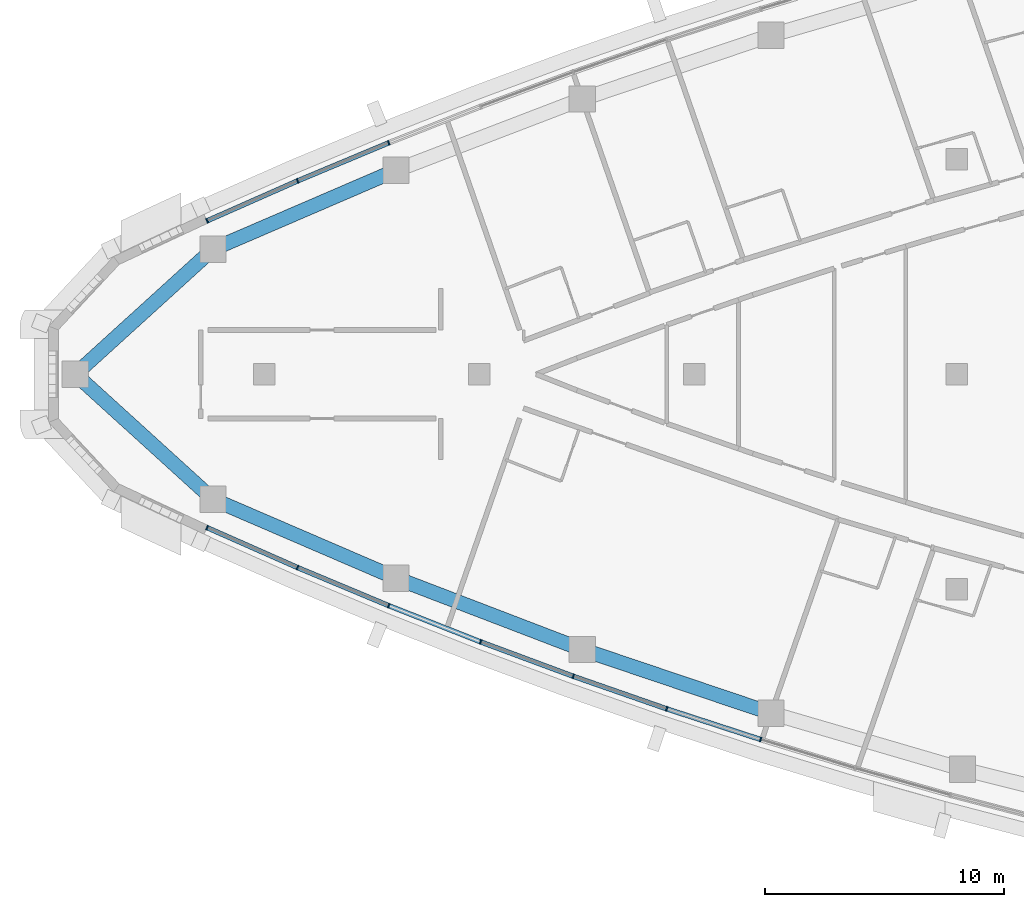
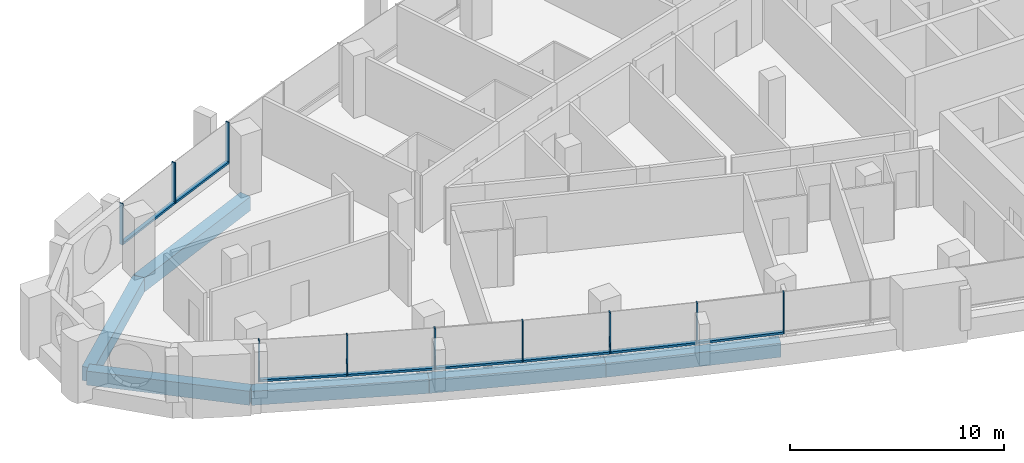
# One storey, part 2 of 14: 18 members, 6 beams, 5 elements without a shape of their own.
"""IFC4 building model written with IfcOpenShell, lengths in metres."""

from ifc_helpers import new_model, si_unit, direction, frame, origin, origin_2d, place, context, subcontext, project, spatial, rectangle, extrude, material, layer, layer_set, material_profile, profile_set, type_object, element, aggregate, save


model = new_model("IFC4")

# Units and contexts
model_context = context("Model", 3, precision=1e-05, world=origin(), true_north=direction((0.0, 1.0)))
body_context = subcontext(model_context, "Body", "Model", "MODEL_VIEW")
ifc_project = project(units=[si_unit("LENGTHUNIT", "METRE"), si_unit("AREAUNIT", "SQUARE_METRE"), si_unit("VOLUMEUNIT", "CUBIC_METRE"), si_unit("PLANEANGLEUNIT", "RADIAN"), si_unit("MASSUNIT", "GRAM", prefix="KILO")], contexts=[model_context])

# Site, building, storey
site_placement = place(None, origin())
site = spatial("IfcSite", under=ifc_project, at=site_placement, CompositionType="ELEMENT")
building_placement = place(site_placement, origin())
building = spatial("IfcBuilding", under=site, at=building_placement, Name="Ostrand Prow Hotel Tower", CompositionType="ELEMENT")
storey_placement = place(building_placement, frame((0.0, 0.0, 296.300048828125)))
storey = spatial("IfcBuildingStorey", under=building, at=storey_placement, Name="L75", CompositionType="ELEMENT", Elevation=296.300048828125)

# Beams
ifc_material_1 = material(Name="Concrete C50/60", Category="concrete")
ifc_material_profile_1 = material_profile(ifc_material_1, rectangle(XDim=0.60009765625, YDim=0.800048828125, at=origin_2d()), Name="RC 600x800")
ifc_profile_set_1 = profile_set([ifc_material_profile_1], Name="Concrete C50/60")
beam_type = type_object("IfcBeamType", Name="Edge beam 600x800 C50/60", PredefinedType="SPANDREL", material=ifc_profile_set_1)
beam_1_placement = place(storey_placement, frame((8.082763671875, 0.0, -0.699951171875), z_axis=(0.740124460758, -0.672469912032, 0.0), x_axis=(0.672469912032, 0.740124460758, 0.0)))
element("IfcBeam", 1, at=beam_1_placement, inside=storey, type_object=beam_type, Name="Edge beam P-S1", PredefinedType="SPANDREL", context=body_context, shape_type="SweptSolid", body=[
    extrude(rectangle(XDim=0.60009765625, YDim=0.800048828125, at=origin_2d()), origin(), (0.0, 0.0, 1.0), 7.787353515625),
])
for number, where, z_axis, x_axis, name in (
    (2, (13.846435546875, -5.23681640625, -0.699951171875), (0.918403788687, -0.39564438695, 0.0), (0.39564438695, 0.918403788687, 0.0), "Edge beam S1-S2"),
    (3, (21.51416015625, -8.5400390625, -0.699951171875), (0.933761753797, -0.357895218111, 0.0), (0.357895218111, 0.933761753797, 0.0), "Edge beam S2-S3"),
    (4, (29.31005859375, -11.528076171875, -0.699951171875), (0.947575089419, -0.319533174981, 0.0), (0.319533174981, 0.947575089419, 0.0), "Edge beam S3-S4"),
    (5, (21.51416015625, 8.5400390625, -0.699951171875), (-0.918403788687, -0.39564438695, 0.0), (0.39564438695, -0.918403788687, 0.0), "Edge beam N5-N6"),
):
    element("IfcBeam", number, at=place(storey_placement, frame(where, z_axis=z_axis, x_axis=x_axis)), inside=storey, type_object=beam_type, Name=name, PredefinedType="SPANDREL", context=body_context, shape_type="SweptSolid", body=[
        extrude(rectangle(XDim=0.60009765625, YDim=0.800048828125, at=origin_2d()), origin(), (0.0, 0.0, 1.0), 8.348876953125),
    ])
beam_2_placement = place(storey_placement, frame((13.846435546875, 5.23681640625, -0.699951171875), z_axis=(-0.740124460758, -0.672469912032, 0.0), x_axis=(0.672469912032, -0.740124460758, 0.0)))
element("IfcBeam", 6, at=beam_2_placement, inside=storey, type_object=beam_type, Name="Edge beam N6-P", PredefinedType="SPANDREL", context=body_context, shape_type="SweptSolid", body=[
    extrude(rectangle(XDim=0.60009765625, YDim=0.800048828125, at=origin_2d()), origin(), (0.0, 0.0, 1.0), 7.787353515625),
])

# Curtain wall, members
ifc_material_2 = material(Name="Insulated glass in bronze anodised frame", Category="glass")
ifc_layer = layer(ifc_material_2, 0.199951171875)
ifc_layer_set = layer_set([ifc_layer], Name="Insulated glass in bronze anodised frame")
curtain_wall_type = type_object("IfcCurtainWallType", Name="Strip curtain wall, fritted glass over bronze spandrel", PredefinedType="NOTDEFINED", material=ifc_layer_set)
curtain_wall_1_placement = place(storey_placement, origin())
curtain_wall_1 = element("IfcCurtainWall", 7, at=curtain_wall_1_placement, inside=storey, type_object=curtain_wall_type, Name="CW1 run CWS1", PredefinedType="NOTDEFINED")
ifc_material_3 = material(Name="Bronze anodised aluminium", Category="aluminium")
ifc_material_profile_2 = material_profile(ifc_material_3, rectangle(XDim=0.199951171875, YDim=0.06005859375, at=origin_2d()), Name="Mullion 60x200 bronze anodised aluminium")
ifc_profile_set_2 = profile_set([ifc_material_profile_2], Name="Bronze anodised aluminium")
member_type_1 = type_object("IfcMemberType", Name="Mullion 60x200 bronze anodised aluminium", PredefinedType="MULLION", material=ifc_profile_set_2)
member_1_placement = place(storey_placement, frame((13.60009765625, -6.423583984375, 0.89990234375), z_axis=(0.0, 0.0, 1.0), x_axis=(0.403939694592, 0.914785615941, 0.0)))
member_1 = element("IfcMember", 8, at=member_1_placement, type_object=member_type_1, Name="CW1 mullion 1", PredefinedType="MULLION", context=body_context, shape_type="SweptSolid", body=[
    extrude(rectangle(XDim=0.199951171875, YDim=0.06005859375, at=origin_2d()), origin(), (0.0, 0.0, 1.0), 2.35009765625),
])
member_2_placement = place(storey_placement, frame((17.386962890625, -8.095947265625, 0.89990234375), z_axis=(0.0, 0.0, 1.0), x_axis=(0.385471263659, 0.922719840955, 0.0)))
member_2 = element("IfcMember", 9, at=member_2_placement, type_object=member_type_1, Name="CW1 mullion 2", PredefinedType="MULLION", context=body_context, shape_type="SweptSolid", body=[
    extrude(rectangle(XDim=0.199951171875, YDim=0.06005859375, at=origin_2d()), origin(), (0.0, 0.0, 1.0), 2.35009765625),
])
member_3_placement = place(storey_placement, frame((21.206787109375, -9.691650390625, 0.89990234375), z_axis=(0.0, 0.0, 1.0), x_axis=(0.385471263659, 0.922719840955, 0.0)))
member_3 = element("IfcMember", 10, at=member_3_placement, type_object=member_type_1, Name="CW1 mullion 3", PredefinedType="MULLION", context=body_context, shape_type="SweptSolid", body=[
    extrude(rectangle(XDim=0.199951171875, YDim=0.06005859375, at=origin_2d()), origin(), (0.0, 0.0, 1.0), 2.35009765625),
])

curtain_wall_2_placement = place(storey_placement, origin())
curtain_wall_2 = element("IfcCurtainWall", 11, at=curtain_wall_2_placement, inside=storey, type_object=curtain_wall_type, Name="CW1 run CWS2", PredefinedType="NOTDEFINED")
member_4_placement = place(storey_placement, frame((25.05810546875, -11.210205078125, 0.89990234375), z_axis=(0.0, 0.0, 1.0), x_axis=(0.348071422738, 0.937468017947, 0.0)))
member_4 = element("IfcMember", 12, at=member_4_placement, type_object=member_type_1, Name="CW1 mullion 2", PredefinedType="MULLION", context=body_context, shape_type="SweptSolid", body=[
    extrude(rectangle(XDim=0.199951171875, YDim=0.06005859375, at=origin_2d()), origin(), (0.0, 0.0, 1.0), 2.35009765625),
])
member_5_placement = place(storey_placement, frame((28.93896484375, -12.6513671875, 0.89990234375), z_axis=(0.0, 0.0, 1.0), x_axis=(0.348071422738, 0.937468017947, 0.0)))
member_5 = element("IfcMember", 13, at=member_5_placement, type_object=member_type_1, Name="CW1 mullion 3", PredefinedType="MULLION", context=body_context, shape_type="SweptSolid", body=[
    extrude(rectangle(XDim=0.199951171875, YDim=0.06005859375, at=origin_2d()), origin(), (0.0, 0.0, 1.0), 2.35009765625),
])

curtain_wall_3_placement = place(storey_placement, origin())
curtain_wall_3 = element("IfcCurtainWall", 14, at=curtain_wall_3_placement, inside=storey, type_object=curtain_wall_type, Name="CW1 run CWS3", PredefinedType="NOTDEFINED")
member_6_placement = place(storey_placement, frame((32.84814453125, -14.013916015625, 0.89990234375), z_axis=(0.0, 0.0, 1.0), x_axis=(0.310110668289, 0.950700464612, 0.0)))
member_6 = element("IfcMember", 15, at=member_6_placement, type_object=member_type_1, Name="CW1 mullion 2", PredefinedType="MULLION", context=body_context, shape_type="SweptSolid", body=[
    extrude(rectangle(XDim=0.199951171875, YDim=0.06005859375, at=origin_2d()), origin(), (0.0, 0.0, 1.0), 2.35009765625),
])
member_7_placement = place(storey_placement, frame((36.78369140625, -15.297607421875, 0.89990234375), z_axis=(0.0, 0.0, 1.0), x_axis=(0.310110668289, 0.950700464612, 0.0)))
member_7 = element("IfcMember", 16, at=member_7_placement, type_object=member_type_1, Name="CW1 mullion 3", PredefinedType="MULLION", context=body_context, shape_type="SweptSolid", body=[
    extrude(rectangle(XDim=0.199951171875, YDim=0.06005859375, at=origin_2d()), origin(), (0.0, 0.0, 1.0), 2.35009765625),
])

# Curtain wall, member
curtain_wall_4_placement = place(storey_placement, origin())
curtain_wall_4 = element("IfcCurtainWall", 17, at=curtain_wall_4_placement, inside=storey, type_object=curtain_wall_type, Name="CW1 run CWN4", PredefinedType="NOTDEFINED")
member_8_placement = place(storey_placement, frame((21.206787109375, 9.691650390625, 0.89990234375), z_axis=(0.0, 0.0, 1.0), x_axis=(0.366845465248, -0.930281895249, 0.0)))
member_8 = element("IfcMember", 18, at=member_8_placement, type_object=member_type_1, Name="CW1 mullion 3", PredefinedType="MULLION", context=body_context, shape_type="SweptSolid", body=[
    extrude(rectangle(XDim=0.199951171875, YDim=0.06005859375, at=origin_2d()), origin(), (0.0, 0.0, 1.0), 2.35009765625),
])
aggregate(curtain_wall_4, [member_8])

# Curtain wall, members
curtain_wall_5_placement = place(storey_placement, origin())
curtain_wall_5 = element("IfcCurtainWall", 19, at=curtain_wall_5_placement, inside=storey, type_object=curtain_wall_type, Name="CW1 run CWN5", PredefinedType="NOTDEFINED")
member_9_placement = place(storey_placement, frame((17.386962890625, 8.095947265625, 0.89990234375), z_axis=(0.0, 0.0, 1.0), x_axis=(0.403939694592, -0.914785615941, 0.0)))
member_9 = element("IfcMember", 20, at=member_9_placement, type_object=member_type_1, Name="CW1 mullion 2", PredefinedType="MULLION", context=body_context, shape_type="SweptSolid", body=[
    extrude(rectangle(XDim=0.199951171875, YDim=0.06005859375, at=origin_2d()), origin(), (0.0, 0.0, 1.0), 2.35009765625),
])
member_10_placement = place(storey_placement, frame((13.60009765625, 6.423583984375, 0.89990234375), z_axis=(0.0, 0.0, 1.0), x_axis=(0.403939694592, -0.914785615941, 0.0)))
member_10 = element("IfcMember", 21, at=member_10_placement, type_object=member_type_1, Name="CW1 mullion 3", PredefinedType="MULLION", context=body_context, shape_type="SweptSolid", body=[
    extrude(rectangle(XDim=0.199951171875, YDim=0.06005859375, at=origin_2d()), origin(), (0.0, 0.0, 1.0), 2.35009765625),
])

# Member
ifc_material_4 = material(Name="Bronze anodised aluminium", Category="aluminium")
ifc_material_profile_3 = material_profile(ifc_material_4, rectangle(XDim=0.199951171875, YDim=0.1201171875, at=origin_2d()), Name="Transom 120x200 bronze anodised aluminium")
ifc_profile_set_3 = profile_set([ifc_material_profile_3], Name="Bronze anodised aluminium")
member_type_2 = type_object("IfcMemberType", Name="Transom 120x200 bronze anodised aluminium", PredefinedType="USERDEFINED", material=ifc_profile_set_3)
member_11_placement = place(storey_placement, frame((13.62744140625, -6.435791015625, 0.9599609375), z_axis=(0.914791011182, -0.403927475991, 0.0), x_axis=(0.403927475991, 0.914791011182, 0.0)))
member_11 = element("IfcMember", 22, at=member_11_placement, type_object=member_type_2, Name="CW1 transom 1.1", ObjectType="TRANSOM", PredefinedType="USERDEFINED", context=body_context, shape_type="SweptSolid", body=[
    extrude(rectangle(XDim=0.199951171875, YDim=0.1201171875, at=origin_2d()), origin(), (0.0, 0.0, 1.0), 4.079833984375),
])

member_12_placement = place(storey_placement, frame((17.414794921875, -8.107421875, 0.9599609375), z_axis=(0.922706465875, -0.385503278628, 0.0), x_axis=(0.385503278628, 0.922706465875, 0.0)))
member_12 = element("IfcMember", 23, at=member_12_placement, type_object=member_type_2, Name="CW1 transom 2.1", ObjectType="TRANSOM", PredefinedType="USERDEFINED", context=body_context, shape_type="SweptSolid", body=[
    extrude(rectangle(XDim=0.199951171875, YDim=0.1201171875, at=origin_2d()), origin(), (0.0, 0.0, 1.0), 4.079833984375),
])

aggregate(curtain_wall_1, [member_1, member_2, member_3, member_11, member_12])

member_13_placement = place(storey_placement, frame((21.23486328125, -9.70263671875, 0.9599609375), z_axis=(0.930289613186, -0.366825892759, 0.0), x_axis=(0.366825892759, 0.930289613186, 0.0)))
member_13 = element("IfcMember", 24, at=member_13_placement, type_object=member_type_2, Name="CW1 transom 1.1", ObjectType="TRANSOM", PredefinedType="USERDEFINED", context=body_context, shape_type="SweptSolid", body=[
    extrude(rectangle(XDim=0.199951171875, YDim=0.1201171875, at=origin_2d()), origin(), (0.0, 0.0, 1.0), 4.079833984375),
])

member_14_placement = place(storey_placement, frame((25.086181640625, -11.220703125, 0.9599609375), z_axis=(0.937460424566, -0.348091873465, 0.0), x_axis=(0.348091873465, 0.937460424566, 0.0)))
member_14 = element("IfcMember", 25, at=member_14_placement, type_object=member_type_2, Name="CW1 transom 2.1", ObjectType="TRANSOM", PredefinedType="USERDEFINED", context=body_context, shape_type="SweptSolid", body=[
    extrude(rectangle(XDim=0.199951171875, YDim=0.1201171875, at=origin_2d()), origin(), (0.0, 0.0, 1.0), 4.079833984375),
])

aggregate(curtain_wall_2, [member_4, member_5, member_13, member_14])

member_15_placement = place(storey_placement, frame((28.96728515625, -12.6611328125, 0.9599609375), z_axis=(0.944268108385, -0.329177367822, 0.0), x_axis=(0.329177367822, 0.944268108385, 0.0)))
member_15 = element("IfcMember", 26, at=member_15_placement, type_object=member_type_2, Name="CW1 transom 1.1", ObjectType="TRANSOM", PredefinedType="USERDEFINED", context=body_context, shape_type="SweptSolid", body=[
    extrude(rectangle(XDim=0.199951171875, YDim=0.1201171875, at=origin_2d()), origin(), (0.0, 0.0, 1.0), 4.079833984375),
])

member_16_placement = place(storey_placement, frame((32.876708984375, -14.023193359375, 0.9599609375), z_axis=(0.950704145978, -0.310099382165, 0.0), x_axis=(0.310099382165, 0.950704145978, 0.0)))
member_16 = element("IfcMember", 27, at=member_16_placement, type_object=member_type_2, Name="CW1 transom 2.1", ObjectType="TRANSOM", PredefinedType="USERDEFINED", context=body_context, shape_type="SweptSolid", body=[
    extrude(rectangle(XDim=0.199951171875, YDim=0.1201171875, at=origin_2d()), origin(), (0.0, 0.0, 1.0), 4.079833984375),
])

aggregate(curtain_wall_3, [member_6, member_7, member_15, member_16])

member_17_placement = place(storey_placement, frame((21.17919921875, 9.68017578125, 0.9599609375), z_axis=(-0.922706465875, -0.385503278628, 0.0), x_axis=(0.385503278628, -0.922706465875, 0.0)))
member_17 = element("IfcMember", 28, at=member_17_placement, type_object=member_type_2, Name="CW1 transom 1.1", ObjectType="TRANSOM", PredefinedType="USERDEFINED", context=body_context, shape_type="SweptSolid", body=[
    extrude(rectangle(XDim=0.199951171875, YDim=0.1201171875, at=origin_2d()), origin(), (0.0, 0.0, 1.0), 4.079833984375),
])

member_18_placement = place(storey_placement, frame((17.359619140625, 8.083740234375, 0.9599609375), z_axis=(-0.914791011182, -0.403927475991, 0.0), x_axis=(0.403927475991, -0.914791011182, 0.0)))
member_18 = element("IfcMember", 29, at=member_18_placement, type_object=member_type_2, Name="CW1 transom 2.1", ObjectType="TRANSOM", PredefinedType="USERDEFINED", context=body_context, shape_type="SweptSolid", body=[
    extrude(rectangle(XDim=0.199951171875, YDim=0.1201171875, at=origin_2d()), origin(), (0.0, 0.0, 1.0), 4.079833984375),
])

aggregate(curtain_wall_5, [member_9, member_10, member_17, member_18])

save(model, "model.ifc")
